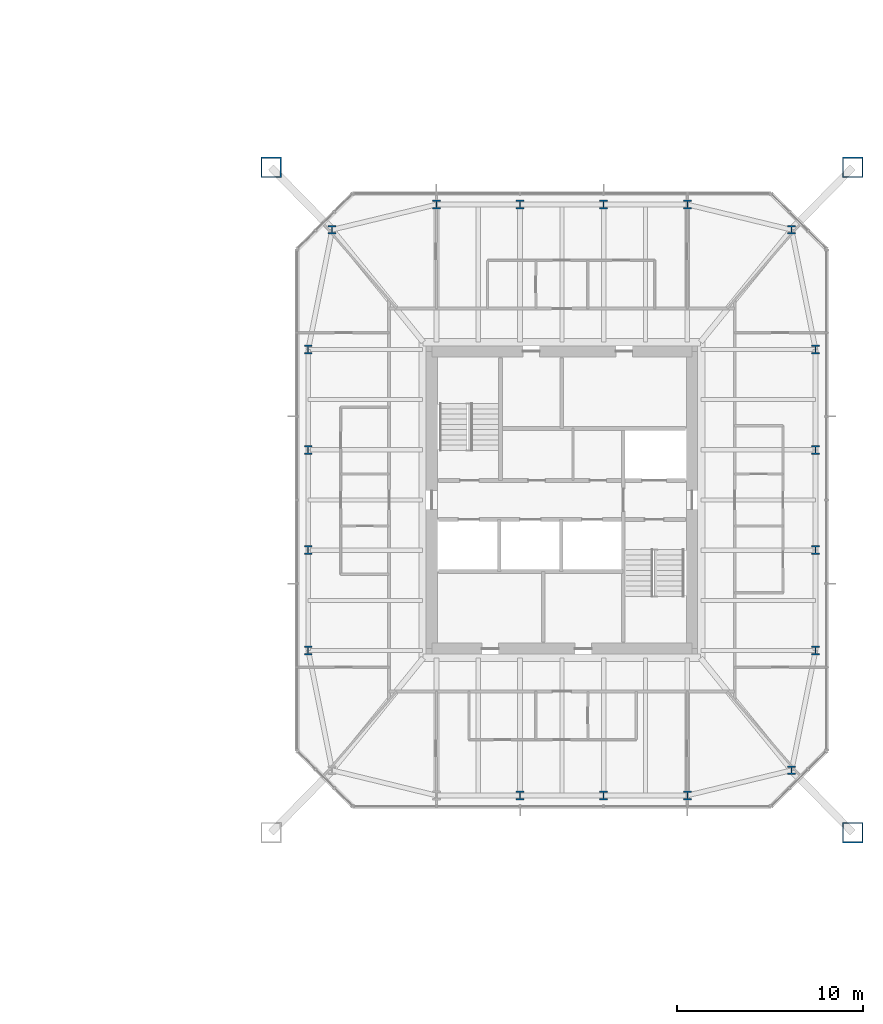
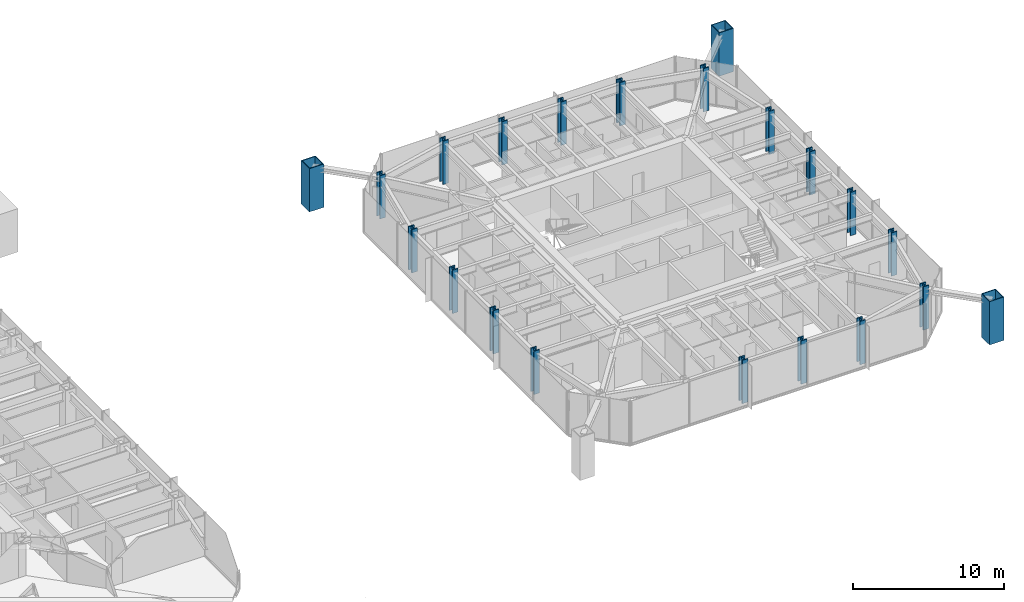
# One storey, part 2 of 25: 21 columns.
"""IFC4 building model written with IfcOpenShell, lengths in metres."""

from ifc_helpers import new_model, si_unit, direction, frame, origin, origin_2d, place, context, subcontext, project, spatial, hollow_rectangle, i_section, extrude, material, material_profile, profile_set, type_object, element, save


model = new_model("IFC4")

# Units and contexts
model_context = context("Model", 3, precision=1e-05, world=origin(), true_north=direction((0.0, 1.0)))
body_context = subcontext(model_context, "Body", "Model", "MODEL_VIEW")
ifc_project = project(units=[si_unit("LENGTHUNIT", "METRE"), si_unit("AREAUNIT", "SQUARE_METRE"), si_unit("VOLUMEUNIT", "CUBIC_METRE"), si_unit("PLANEANGLEUNIT", "RADIAN"), si_unit("MASSUNIT", "GRAM", prefix="KILO")], contexts=[model_context])

# Site, building, storey
site_placement = place(None, origin())
site = spatial("IfcSite", under=ifc_project, at=site_placement, CompositionType="ELEMENT")
building_placement = place(site_placement, origin())
building = spatial("IfcBuilding", under=site, at=building_placement, Name="Iwan Alto Co-Living Towers", CompositionType="ELEMENT")
storey_placement = place(building_placement, frame((0.0, 0.0, 112.0)))
storey = spatial("IfcBuildingStorey", under=building, at=storey_placement, Name="L30", CompositionType="ELEMENT", Elevation=112.0)

# Columns
ifc_material_1 = material(Name="Steel ASTM A572 Gr 50", Category="steel")
ifc_material_profile_1 = material_profile(ifc_material_1, hollow_rectangle(XDim=1.10009765625, YDim=1.10009765625, WallThickness=0.06005859375, at=origin_2d()), Name="BOX 1100X1100X60")
ifc_profile_set_1 = profile_set([ifc_material_profile_1], Name="Steel ASTM A572 Gr 50")
column_type_1 = type_object("IfcColumnType", Name="T2 MEGA COLUMN BOX 1100X1100X60", PredefinedType="COLUMN", material=ifc_profile_set_1)
for number, where, z_axis, x_axis, name in (
    (1, (78.64990234375, -17.89990234375, 0.0), (0.0, 0.0, 1.0), (1.0, 0.0, 0.0), "T2 mega column SE L30"),
    (2, (78.64990234375, 17.89990234375, 0.0), (0.0, 0.0, 1.0), (1.0, 0.0, 0.0), "T2 mega column NE L30"),
    (3, (47.35009765625, 17.89990234375, 0.0), (0.0, 0.0, 1.0), (1.0, 0.0, 0.0), "T2 mega column NW L30"),
):
    element("IfcColumn", number, at=place(storey_placement, frame(where, z_axis=z_axis, x_axis=x_axis)), inside=storey, type_object=column_type_1, Name=name, PredefinedType="COLUMN", context=body_context, shape_type="SweptSolid", body=[
        extrude(hollow_rectangle(XDim=1.10009765625, YDim=1.10009765625, WallThickness=0.06005859375, at=origin_2d()), origin(), (0.0, 0.0, 1.0), 3.5),
    ])
ifc_material_2 = material(Name="Steel ASTM A992 Gr 50", Category="steel")
ifc_material_profile_2 = material_profile(ifc_material_2, i_section(OverallWidth=0.4267578125, OverallDepth=0.482666015625, WebThickness=0.05126953125, FlangeThickness=0.08154296875, at=origin_2d()), Name="W14X455")
ifc_profile_set_2 = profile_set([ifc_material_profile_2], Name="Steel ASTM A992 Gr 50")
column_type_2 = type_object("IfcColumnType", Name="T2 RING COLUMN W14X455", PredefinedType="COLUMN", material=ifc_profile_set_2)
for number, where, z_axis, x_axis, name in (
    (4, (60.75, -15.89990234375, 0.0), (0.0, 0.0, 1.0), (1.0, 0.0, 0.0), "T2 ring column S2 L30"),
    (5, (65.25, -15.89990234375, 0.0), (0.0, 0.0, 1.0), (1.0, 0.0, 0.0), "T2 ring column S3 L30"),
    (6, (69.75, -15.89990234375, 0.0), (0.0, 0.0, 1.0), (1.0, 0.0, 0.0), "T2 ring column S4 L30"),
    (7, (75.361328125, -14.542724609375, 0.0), (0.0, 0.0, 1.0), (1.0, 0.0, 0.0), "T2 ring column CSE L30"),
    (8, (76.64990234375, -8.10009765625, 0.0), (0.0, 0.0, 1.0), (1.0, 0.0, 0.0), "T2 ring column E1 L30"),
    (9, (76.64990234375, -2.699951171875, 0.0), (0.0, 0.0, 1.0), (1.0, 0.0, 0.0), "T2 ring column E2 L30"),
    (10, (76.64990234375, 2.699951171875, 0.0), (0.0, 0.0, 1.0), (1.0, 0.0, 0.0), "T2 ring column E3 L30"),
    (11, (76.64990234375, 8.10009765625, 0.0), (0.0, 0.0, 1.0), (1.0, 0.0, 0.0), "T2 ring column E4 L30"),
    (12, (75.361328125, 14.542724609375, 0.0), (0.0, 0.0, 1.0), (1.0, 0.0, 0.0), "T2 ring column CNE L30"),
    (13, (69.75, 15.89990234375, 0.0), (0.0, 0.0, 1.0), (1.0, 0.0, 0.0), "T2 ring column N1 L30"),
    (14, (65.25, 15.89990234375, 0.0), (0.0, 0.0, 1.0), (1.0, 0.0, 0.0), "T2 ring column N2 L30"),
    (15, (60.75, 15.89990234375, 0.0), (0.0, 0.0, 1.0), (1.0, 0.0, 0.0), "T2 ring column N3 L30"),
    (16, (56.25, 15.89990234375, 0.0), (0.0, 0.0, 1.0), (1.0, 0.0, 0.0), "T2 ring column N4 L30"),
    (17, (50.638671875, 14.542724609375, 0.0), (0.0, 0.0, 1.0), (1.0, 0.0, 0.0), "T2 ring column CNW L30"),
    (18, (49.35009765625, 8.10009765625, 0.0), (0.0, 0.0, 1.0), (1.0, 0.0, 0.0), "T2 ring column W1 L30"),
    (19, (49.35009765625, 2.699951171875, 0.0), (0.0, 0.0, 1.0), (1.0, 0.0, 0.0), "T2 ring column W2 L30"),
    (20, (49.35009765625, -2.699951171875, 0.0), (0.0, 0.0, 1.0), (1.0, 0.0, 0.0), "T2 ring column W3 L30"),
    (21, (49.35009765625, -8.10009765625, 0.0), (0.0, 0.0, 1.0), (1.0, 0.0, 0.0), "T2 ring column W4 L30"),
):
    element("IfcColumn", number, at=place(storey_placement, frame(where, z_axis=z_axis, x_axis=x_axis)), inside=storey, type_object=column_type_2, Name=name, PredefinedType="COLUMN", context=body_context, shape_type="SweptSolid", body=[
        extrude(i_section(OverallWidth=0.4267578125, OverallDepth=0.482666015625, WebThickness=0.05126953125, FlangeThickness=0.08154296875, at=origin_2d()), origin(), (0.0, 0.0, 1.0), 3.5),
    ])

save(model, "model.ifc")
